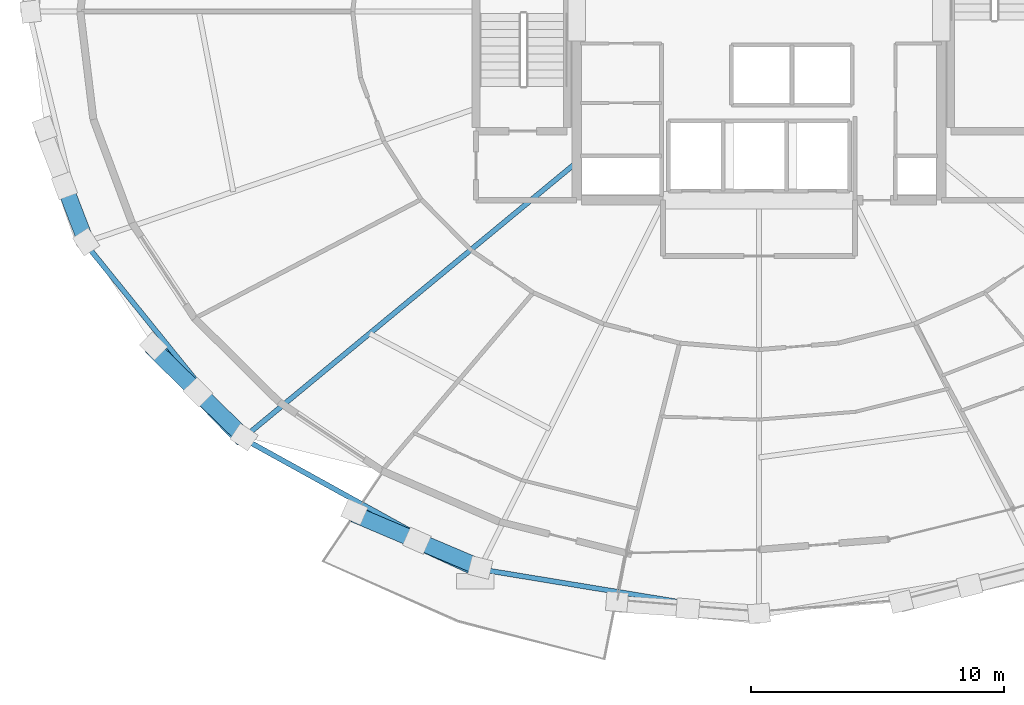
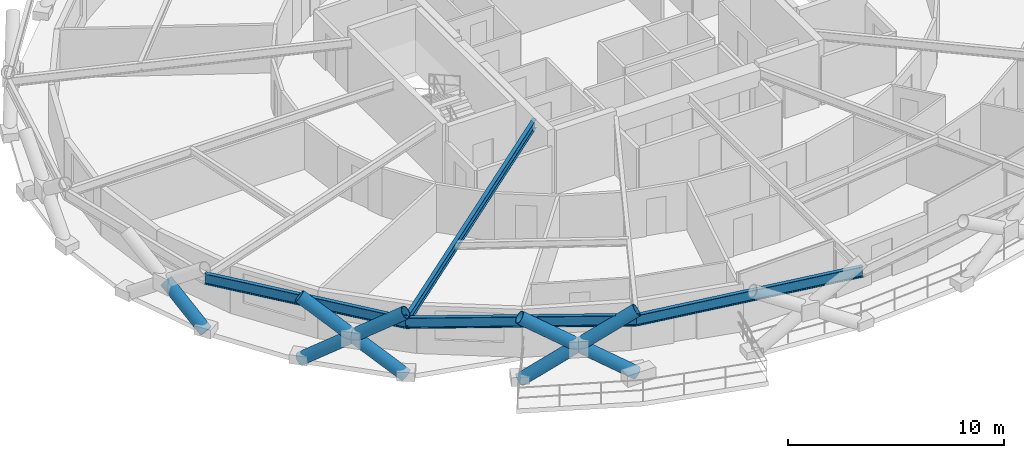
# One storey, part 1 of 14: 7 members, 4 beams.
"""IFC4 building model written with IfcOpenShell, lengths in metres."""

from ifc_helpers import new_model, si_unit, direction, frame, origin, origin_2d, place, context, subcontext, project, spatial, hollow_circle, i_section, extrude, material, material_profile, profile_set, type_object, element, save


model = new_model("IFC4")

# Units and contexts
model_context = context("Model", 3, precision=1e-05, world=origin(), true_north=direction((0.0, 1.0)))
body_context = subcontext(model_context, "Body", "Model", "MODEL_VIEW")
ifc_project = project(units=[si_unit("LENGTHUNIT", "METRE"), si_unit("AREAUNIT", "SQUARE_METRE"), si_unit("VOLUMEUNIT", "CUBIC_METRE"), si_unit("PLANEANGLEUNIT", "RADIAN"), si_unit("MASSUNIT", "GRAM", prefix="KILO")], contexts=[model_context])

# Site, building, storey
site_placement = place(None, origin())
site = spatial("IfcSite", under=ifc_project, at=site_placement, CompositionType="ELEMENT")
building_placement = place(site_placement, origin())
building = spatial("IfcBuilding", under=site, at=building_placement, Name="Veldorina Hangang Commons", CompositionType="ELEMENT")
storey_placement = place(building_placement, frame((0.0, 0.0, 62.800048828125)))
storey = spatial("IfcBuildingStorey", under=building, at=storey_placement, Name="L15", CompositionType="ELEMENT", Elevation=62.800048828125)

# Beams
ifc_material_1 = material(Name="Steel SM420-TMC", Category="steel")
ifc_material_profile_1 = material_profile(ifc_material_1, i_section(OverallWidth=0.199951171875, OverallDepth=0.5, WebThickness=0.010009765625, FlangeThickness=0.01611328125, FilletRadius=0.01611328125, at=origin_2d()), Name="H-500x200x10x16")
ifc_profile_set_1 = profile_set([ifc_material_profile_1], Name="Steel SM420-TMC")
beam_type_1 = type_object("IfcBeamType", Name="BM-FG500", PredefinedType="BEAM", material=ifc_profile_set_1)
beam_1_placement = place(storey_placement, frame((24.800048828125, 18.04833984375, 3.08984375), z_axis=(-0.770755860835, -0.637130601202, 0.0), x_axis=(0.637130601202, -0.770755860835, 0.0)))
element("IfcBeam", 1, at=beam_1_placement, inside=storey, type_object=beam_type_1, Name="L15 radial floor girder 11", PredefinedType="BEAM", context=body_context, shape_type="SweptSolid", body=[
    extrude(i_section(OverallWidth=0.199951171875, OverallDepth=0.5, WebThickness=0.010009765625, FlangeThickness=0.01611328125, FilletRadius=0.01611328125, at=origin_2d()), origin(), (0.0, 0.0, 1.0), 17.115966796875),
])
ifc_material_profile_2 = material_profile(ifc_material_1, i_section(OverallWidth=0.199951171875, OverallDepth=0.60009765625, WebThickness=0.010986328125, FlangeThickness=0.01708984375, FilletRadius=0.01806640625, at=origin_2d()), Name="H-600x200x11x17")
ifc_profile_set_2 = profile_set([ifc_material_profile_2], Name="Steel SM420-TMC")
beam_type_2 = type_object("IfcBeamType", Name="BM-RB600", PredefinedType="BEAM", material=ifc_profile_set_2)
beam_2_placement = place(storey_placement, frame((5.3564453125, 14.877197265625, 3.0400390625), z_axis=(0.628633070944, -0.777702039419, 0.0), x_axis=(0.777702039419, 0.628633070944, 0.0)))
element("IfcBeam", 2, at=beam_2_placement, inside=storey, type_object=beam_type_2, Name="L15 perimeter hoop ring beam 18", PredefinedType="BEAM", context=body_context, shape_type="SweptSolid", body=[
    extrude(i_section(OverallWidth=0.199951171875, OverallDepth=0.60009765625, WebThickness=0.010986328125, FlangeThickness=0.01708984375, FilletRadius=0.01806640625, at=origin_2d()), origin(), (0.0, 0.0, 1.0), 9.944580078125),
])
beam_3_placement = place(storey_placement, frame((11.60791015625, 7.143310546875, 3.0400390625), z_axis=(0.87535704209, -0.483477040678, 0.0), x_axis=(0.483477040678, 0.87535704209, 0.0)))
element("IfcBeam", 3, at=beam_3_placement, inside=storey, type_object=beam_type_2, Name="L15 perimeter hoop ring beam 20", PredefinedType="BEAM", context=body_context, shape_type="SweptSolid", body=[
    extrude(i_section(OverallWidth=0.199951171875, OverallDepth=0.60009765625, WebThickness=0.010986328125, FlangeThickness=0.01708984375, FilletRadius=0.01806640625, at=origin_2d()), origin(), (0.0, 0.0, 1.0), 10.688232421875),
])
beam_4_placement = place(storey_placement, frame((20.9638671875, 1.975830078125, 3.0400390625), z_axis=(0.986749111678, -0.162253476398, 0.0), x_axis=(0.162253476398, 0.986749111678, 0.0)))
element("IfcBeam", 4, at=beam_4_placement, inside=storey, type_object=beam_type_2, Name="L15 perimeter hoop ring beam 22", PredefinedType="BEAM", context=body_context, shape_type="SweptSolid", body=[
    extrude(i_section(OverallWidth=0.199951171875, OverallDepth=0.60009765625, WebThickness=0.010986328125, FlangeThickness=0.01708984375, FilletRadius=0.01806640625, at=origin_2d()), origin(), (0.0, 0.0, 1.0), 11.184326171875),
])

# Members
ifc_material_2 = material(Name="Steel SM460-TMC", Category="steel")
ifc_material_profile_3 = material_profile(ifc_material_2, hollow_circle(Radius=0.324951171875, WallThickness=0.031982421875, at=origin_2d()), Name="CHS-650x32")
ifc_profile_set_3 = profile_set([ifc_material_profile_3], Name="Steel SM460-TMC")
member_type = type_object("IfcMemberType", Name="DG-CHS650", PredefinedType="BRACE", material=ifc_profile_set_3)
member_1_placement = place(storey_placement, frame((5.419921875, 14.903564453125, 0.0), z_axis=(-0.287692239976, 0.744133345085, 0.602908566692), x_axis=(-0.932719662313, -0.360602317706, 0.0)))
element("IfcMember", 5, at=member_1_placement, inside=storey, type_object=member_type, Name="L15 split perimeter diagrid lower brace 18", PredefinedType="BRACE", context=body_context, shape_type="SweptSolid", body=[
    extrude(hollow_circle(Radius=0.324951171875, WallThickness=0.031982421875, at=origin_2d()), origin(), (0.0, 0.0, 1.0), 2.980224609375),
])
member_2_placement = place(storey_placement, frame((8.07861328125, 10.7939453125, 0.0), z_axis=(0.565562883328, -0.587920248159, 0.578349727074), x_axis=(0.720676905465, 0.693271085456, 0.0)))
element("IfcMember", 6, at=member_2_placement, inside=storey, type_object=member_type, Name="L15 continuous perimeter diagrid brace 19", PredefinedType="BRACE", context=body_context, shape_type="SweptSolid", body=[
    extrude(hollow_circle(Radius=0.324951171875, WallThickness=0.031982421875, at=origin_2d()), origin(), (0.0, 0.0, 1.0), 6.224365234375),
])
member_3_placement = place(storey_placement, frame((11.656494140625, 7.19189453125, 0.0), z_axis=(-0.584689929011, 0.57010600427, 0.577162742048), x_axis=(-0.698121055353, -0.715979742781, 0.0)))
element("IfcMember", 7, at=member_3_placement, inside=storey, type_object=member_type, Name="L15 split perimeter diagrid lower brace 20", PredefinedType="BRACE", context=body_context, shape_type="SweptSolid", body=[
    extrude(hollow_circle(Radius=0.324951171875, WallThickness=0.031982421875, at=origin_2d()), origin(), (0.0, 0.0, 1.0), 3.11376953125),
])
member_4_placement = place(storey_placement, frame((9.8359375, 8.967041015625, 1.797119140625), z_axis=(-0.584305637054, 0.570469904912, 0.577192351038), x_axis=(-0.698584570705, -0.715527496029, 0.0)))
element("IfcMember", 8, at=member_4_placement, inside=storey, type_object=member_type, Name="L15 split perimeter diagrid upper brace 20", PredefinedType="BRACE", context=body_context, shape_type="SweptSolid", body=[
    extrude(hollow_circle(Radius=0.324951171875, WallThickness=0.031982421875, at=origin_2d()), origin(), (0.0, 0.0, 1.0), 3.123291015625),
])
member_5_placement = place(storey_placement, frame((16.01611328125, 4.23583984375, 0.0), z_axis=(0.75774133314, -0.348255611225, 0.551856957283), x_axis=(0.417603326642, 0.908629441289, 0.0)))
element("IfcMember", 9, at=member_5_placement, inside=storey, type_object=member_type, Name="L15 continuous perimeter diagrid brace 21", PredefinedType="BRACE", context=body_context, shape_type="SweptSolid", body=[
    extrude(hollow_circle(Radius=0.324951171875, WallThickness=0.031982421875, at=origin_2d()), origin(), (0.0, 0.0, 1.0), 6.523193359375),
])
member_6_placement = place(storey_placement, frame((20.990234375, 2.039306640625, 0.0), z_axis=(-0.768326862602, 0.3257119137, 0.550986008423), x_axis=(-0.390301092704, -0.920687274287, 0.0)))
element("IfcMember", 10, at=member_6_placement, inside=storey, type_object=member_type, Name="L15 split perimeter diagrid lower brace 22", PredefinedType="BRACE", context=body_context, shape_type="SweptSolid", body=[
    extrude(hollow_circle(Radius=0.324951171875, WallThickness=0.031982421875, at=origin_2d()), origin(), (0.0, 0.0, 1.0), 3.26220703125),
])
member_7_placement = place(storey_placement, frame((18.48388671875, 3.101806640625, 1.79736328125), z_axis=(-0.768190028005, 0.325993786294, 0.551010101696), x_axis=(-0.390646307808, -0.920540853084, 0.0)))
element("IfcMember", 11, at=member_7_placement, inside=storey, type_object=member_type, Name="L15 split perimeter diagrid upper brace 22", PredefinedType="BRACE", context=body_context, shape_type="SweptSolid", body=[
    extrude(hollow_circle(Radius=0.324951171875, WallThickness=0.031982421875, at=origin_2d()), origin(), (0.0, 0.0, 1.0), 3.271240234375),
])

save(model, "model.ifc")
